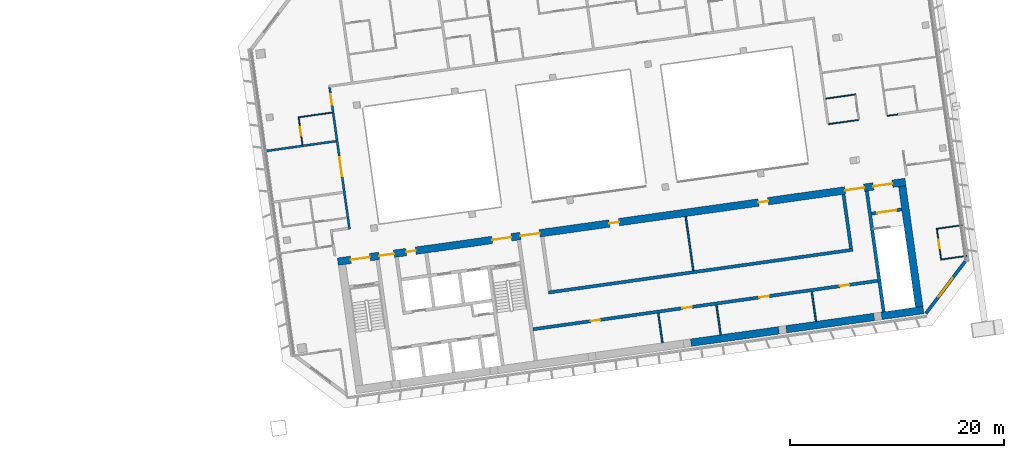
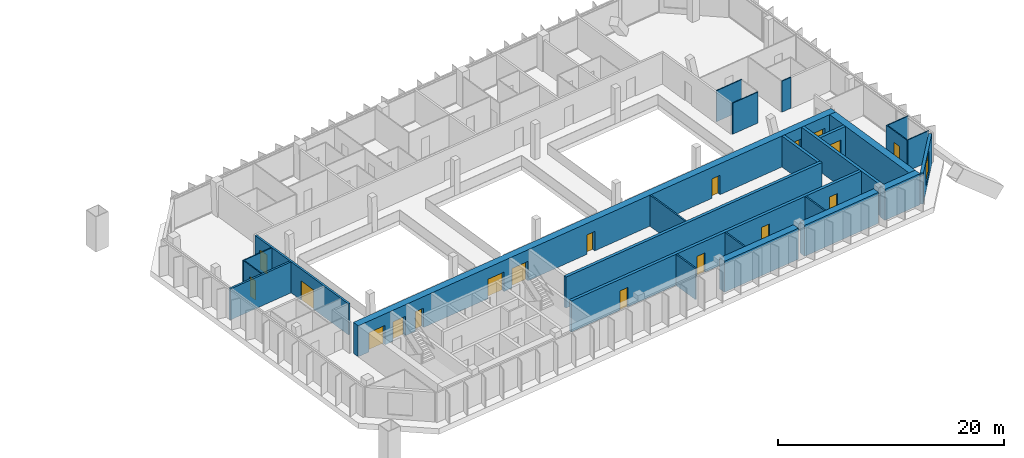
# One storey, part 23 of 32: 25 walls, 18 doors, 1 window, 19 openings.
"""IFC4 building model written with IfcOpenShell, lengths in metres."""

import ifcopenshell
import ifcopenshell.guid

model = None  # the IFC model being written
_history = None  # IfcOwnerHistory: only IFC2X3 demands one
_inside = {}  # id of a spatial element -> (the spatial element, [elements in it])
_under = {}  # id of a project, library or spatial element -> (it, [spatial elements below it])
_declared = {}  # id of a project -> (the project, [libraries it declares])
_typed = {}  # id of a type object -> (the type object, [elements of that type])
_made_of = {}  # id of a material, layer set ... -> (it, [elements and type objects made of it])


def new_model(schema):
    """Start an empty IFC model of exactly this schema.

    Asked for "IFC4X3", IfcOpenShell would pick the latest addendum, in which some entities
    have other attributes; the version numbers below select the first issue.
    IFC2X3 requires an IfcOwnerHistory on every rooted entity: one is made here for all.
    """
    global model, _history
    if schema == "IFC4X3":
        model = ifcopenshell.file(schema_version=(4, 3, 0, 0))
    else:
        model = ifcopenshell.file(schema=schema)
    _inside.clear()
    _under.clear()
    _declared.clear()
    _typed.clear()
    _made_of.clear()
    _history = None
    if model.schema == "IFC2X3":
        org = make("IfcOrganization", Name="unknown")
        user = make(
            "IfcPersonAndOrganization",
            ThePerson=make("IfcPerson", FamilyName="unknown"),
            TheOrganization=org,
        )
        app = make(
            "IfcApplication",
            ApplicationDeveloper=org,
            Version="unknown",
            ApplicationFullName="unknown",
            ApplicationIdentifier="unknown",
        )
        _history = make(
            "IfcOwnerHistory",
            OwningUser=user,
            OwningApplication=app,
            ChangeAction="ADDED",
            CreationDate=0,
        )
    return model


def make(cls, **values):
    """One entity of the class cls with the attributes given. An attribute that is None is left unset."""
    return model.create_entity(
        cls, **{name: value for name, value in values.items() if value is not None}
    )


def rooted(cls, **values):
    """An entity with a GlobalId (a new one), such as an element, a storey or a relation."""
    return make(cls, GlobalId=ifcopenshell.guid.new(), OwnerHistory=_history, **values)


def si_unit(unit_type, name, prefix=None):
    """IfcSIUnit, for example si_unit("LENGTHUNIT", "METRE", prefix="MILLI")."""
    return make("IfcSIUnit", UnitType=unit_type, Prefix=prefix, Name=name)


def assignment(units):
    """IfcUnitAssignment: the units of a project."""
    return None if units is None else make("IfcUnitAssignment", Units=units)


def point(xyz):
    """IfcCartesianPoint."""
    return None if xyz is None else make("IfcCartesianPoint", Coordinates=xyz)


def direction(xyz):
    """IfcDirection."""
    return None if xyz is None else make("IfcDirection", DirectionRatios=xyz)


def frame(location, z_axis=None, x_axis=None):
    """IfcAxis2Placement3D, a coordinate frame: its origin and axes. An axis left out is left unset."""
    return make(
        "IfcAxis2Placement3D",
        Location=point(location),
        Axis=direction(z_axis),
        RefDirection=direction(x_axis),
    )


def frame_2d(location, x_axis=None):
    """IfcAxis2Placement2D, a coordinate frame in the plane: its origin and x axis."""
    return make(
        "IfcAxis2Placement2D", Location=point(location), RefDirection=direction(x_axis)
    )


def origin():
    """The frame at (0, 0, 0) with its axes left unset."""
    return frame((0.0, 0.0, 0.0))


def place(relative_to, where):
    """IfcLocalPlacement: puts the frame where relative to a parent placement (None: the world)."""
    return make(
        "IfcLocalPlacement", PlacementRelTo=relative_to, RelativePlacement=where
    )


def context(
    kind, dimensions, precision=None, world=None, true_north=None, identifier=None
):
    """IfcGeometricRepresentationContext, for example the 3D "Model" context."""
    return make(
        "IfcGeometricRepresentationContext",
        ContextIdentifier=identifier,
        ContextType=kind,
        CoordinateSpaceDimension=dimensions,
        Precision=precision,
        WorldCoordinateSystem=world,
        TrueNorth=true_north,
    )


def subcontext(parent, identifier, kind, view, scale=None):
    """IfcGeometricRepresentationSubContext, for example "Body" below "Model"."""
    return make(
        "IfcGeometricRepresentationSubContext",
        ContextIdentifier=identifier,
        ContextType=kind,
        ParentContext=parent,
        TargetScale=scale,
        TargetView=view,
    )


def project(units=None, contexts=None):
    """IfcProject with its units and contexts."""
    return rooted(
        "IfcProject",
        Name="project",
        RepresentationContexts=contexts,
        UnitsInContext=assignment(units),
    )


def spatial(cls, under=None, at=None, **own):
    """A site, building, storey or space (cls), placed at a placement, below another one or the project."""
    s = rooted(cls, ObjectPlacement=at, **own)
    if under is not None:
        _under.setdefault(under.id(), (under, []))[1].append(s)
    return s


def profile(cls, at=None, kind="AREA", **sizes):
    """A parametric profile (cls). Its sizes go by their IFC names, for example OverallWidth=200.0."""
    return make(cls, ProfileType=kind, Position=at, **sizes)


def rectangle(**sizes):
    """IfcRectangleProfileDef."""
    return profile("IfcRectangleProfileDef", **sizes)


def extrude(swept, where, along, depth):
    """IfcExtrudedAreaSolid: the profile swept, set in the frame where, extruded along a direction by depth."""
    return make(
        "IfcExtrudedAreaSolid",
        SweptArea=swept,
        Position=where,
        ExtrudedDirection=direction(along),
        Depth=depth,
    )


def shape(context_of_items, identifier, shape_type, items):
    """IfcShapeRepresentation: the items that make up one representation, for example the "Body"."""
    return make(
        "IfcShapeRepresentation",
        ContextOfItems=context_of_items,
        RepresentationIdentifier=identifier,
        RepresentationType=shape_type,
        Items=items,
    )


def material(Name=None, Category=None):
    """IfcMaterial."""
    return make("IfcMaterial", Name=Name, Category=Category)


def layer(
    of_material, thickness, ventilated=None, Name=None, Category=None, Priority=None
):
    """IfcMaterialLayer: one layer of a wall or slab, of a material (None: an air gap)."""
    return make(
        "IfcMaterialLayer",
        Material=of_material,
        LayerThickness=thickness,
        IsVentilated=ventilated,
        Name=Name,
        Category=Category,
        Priority=Priority,
    )


def layer_set(layers, Name=None):
    """IfcMaterialLayerSet."""
    return make("IfcMaterialLayerSet", MaterialLayers=layers, LayerSetName=Name)


def made_of(thing, what):
    """Note that an element or type object is made of a material, layer set ...; save() writes the relation."""
    if what is not None:
        _made_of.setdefault(what.id(), (what, []))[1].append(thing)
    return thing


def type_object(cls, material=None, **own):
    """A type object (cls), such as IfcWallType, which elements share."""
    return made_of(rooted(cls, **own), material)


def element(
    cls,
    number,
    at=None,
    inside=None,
    cuts=None,
    type_object=None,
    material=None,
    context=None,
    identifier="Body",
    shape_type=None,
    held_by="IfcProductDefinitionShape",
    body=None,
    shapes=None,
    **own,
):
    """One element of the class cls, such as IfcWall. Its Tag is "e" and its number.

    at: its placement. inside: the storey or other place that contains it. cuts: it is an
    opening in that element (IfcRelVoidsElement). A single representation is given by context,
    identifier, shape_type and body (its items); several are given by shapes. held_by: the class
    of the entity that holds the representations. save() writes the other relations.
    """
    e = rooted(cls, Tag="e%d" % number, ObjectPlacement=at, **own)
    if body is not None:
        shapes = [shape(context, identifier, shape_type, body)]
    if shapes is not None:
        e.Representation = make(held_by, Representations=shapes)
    if inside is not None:
        _inside.setdefault(inside.id(), (inside, []))[1].append(e)
    if cuts is not None:
        rooted(
            "IfcRelVoidsElement", RelatingBuildingElement=cuts, RelatedOpeningElement=e
        )
    if type_object is not None:
        _typed.setdefault(type_object.id(), (type_object, []))[1].append(e)
    return made_of(e, material)


def fill(opening, filler):
    """IfcRelFillsElement: the door or window that sits in an opening."""
    return rooted(
        "IfcRelFillsElement",
        RelatingOpeningElement=opening,
        RelatedBuildingElement=filler,
    )


def aggregate(whole, parts):
    """IfcRelAggregates: a whole, such as a stair, and the parts it consists of."""
    return rooted("IfcRelAggregates", RelatingObject=whole, RelatedObjects=parts)


def save(model, path):
    """Write the relations noted so far, then the file.

    IfcRelAggregates (storeys below a building ...), IfcRelContainedInSpatialStructure (elements
    in a storey), IfcRelDefinesByType, IfcRelAssociatesMaterial and IfcRelDeclares: one each for
    every whole, place, type object, material and project.
    """
    for whole, parts in _under.values():
        aggregate(whole, parts)
    for where, things in _inside.values():
        rooted(
            "IfcRelContainedInSpatialStructure",
            RelatedElements=things,
            RelatingStructure=where,
        )
    for kind, things in _typed.values():
        rooted("IfcRelDefinesByType", RelatedObjects=things, RelatingType=kind)
    for what, things in _made_of.values():
        rooted("IfcRelAssociatesMaterial", RelatedObjects=things, RelatingMaterial=what)
    for by, libraries in _declared.values():
        rooted("IfcRelDeclares", RelatingContext=by, RelatedDefinitions=libraries)
    model.write(path)


model = new_model("IFC4")

# Units and contexts
model_context = context("Model", 3, precision=1e-05, world=origin(), true_north=direction((0.0, 1.0)))
body_context = subcontext(model_context, "Body", "Model", "MODEL_VIEW")
ifc_project = project(units=[si_unit("LENGTHUNIT", "METRE"), si_unit("AREAUNIT", "SQUARE_METRE"), si_unit("VOLUMEUNIT", "CUBIC_METRE"), si_unit("PLANEANGLEUNIT", "RADIAN"), si_unit("MASSUNIT", "GRAM", prefix="KILO")], contexts=[model_context])

# Site, building, storey
site_placement = place(None, origin())
site = spatial("IfcSite", under=ifc_project, at=site_placement, CompositionType="ELEMENT")
building_placement = place(site_placement, origin())
building = spatial("IfcBuilding", under=site, at=building_placement, Name="Mirante Cascada Hotel Towers", CompositionType="ELEMENT")
storey_placement = place(building_placement, frame((0.0, 0.0, 176.4)))
storey = spatial("IfcBuildingStorey", under=building, at=storey_placement, Name="L41", CompositionType="ELEMENT", Elevation=176.4)

# Wall
ifc_material_1 = material(Name="Fire-rated plasterboard on metal studs")
ifc_layer_1 = layer(ifc_material_1, 0.2)
ifc_layer_set_1 = layer_set([ifc_layer_1], Name="Compartment wall 200 EI 120")
wall_type_1 = type_object("IfcWallType", Name="Compartment wall 200 EI 120", PredefinedType="PARTITIONING", material=ifc_layer_set_1)
wall_1_placement = place(storey_placement, frame((28.624, 2.6874, 0.0), z_axis=(0.0, 0.0, 1.0), x_axis=(0.9902682, 0.139172, 0.0)))
element("IfcWall", 1, at=wall_1_placement, inside=storey, type_object=wall_type_1, Name="Wall 2-L41-14", PredefinedType="PARTITIONING", context=body_context, shape_type="SweptSolid", body=[
    extrude(rectangle(XDim=6.8103, YDim=0.2, at=frame_2d((3.4052, 0.0))), origin(), (0.0, 0.0, 1.0), 3.35),
])

# Wall, openings, doors
wall_2_placement = place(storey_placement, frame((36.6268, -4.6031, 0.0), z_axis=(0.0, 0.0, 1.0), x_axis=(-0.1391789, 0.9902673, 0.0)))
wall_2 = element("IfcWall", 2, at=wall_2_placement, inside=storey, type_object=wall_type_1, Name="Wall 2-L41-34", PredefinedType="PARTITIONING", context=body_context, shape_type="SweptSolid", body=[
    extrude(rectangle(XDim=13.4, YDim=0.2, at=frame_2d((6.7, 0.0))), origin(), (0.0, 0.0, 1.0), 3.35),
])
opening_1_placement = place(wall_2_placement, frame((5.0167, 0.0, 0.0)))
opening_1 = element("IfcOpeningElement", 3, at=opening_1_placement, cuts=wall_2, Name="Opening D2-L41-26", PredefinedType="OPENING", context=body_context, shape_type="SweptSolid", body=[
    extrude(rectangle(XDim=1.8, YDim=2.1, at=frame_2d((0.9, 1.05))), frame((0.0, 0.1, 0.0), z_axis=(0.0, -1.0, 0.0), x_axis=(1.0, 0.0, 0.0)), (0.0, 0.0, 1.0), 0.2),
])
opening_2_placement = place(wall_2_placement, frame((11.7667, 0.0, 0.0)))
opening_2 = element("IfcOpeningElement", 4, at=opening_2_placement, cuts=wall_2, Name="Opening D2-L41-27", PredefinedType="OPENING", context=body_context, shape_type="SweptSolid", body=[
    extrude(rectangle(XDim=1.0, YDim=2.1, at=frame_2d((0.5, 1.05))), frame((0.0, 0.1, 0.0), z_axis=(0.0, -1.0, 0.0), x_axis=(1.0, 0.0, 0.0)), (0.0, 0.0, 1.0), 0.2),
])
ifc_material_2 = material(Name="Fire-rated timber door leaf", Category="wood")
door_type_1 = type_object("IfcDoorType", Name="Entrance door DG1 1000x2100 EI 60", OperationType="SINGLE_SWING_LEFT", PredefinedType="DOOR", material=ifc_material_2)
door_1_placement = place(opening_2_placement, origin())
door_1 = element("IfcDoor", 5, at=door_1_placement, inside=storey, type_object=door_type_1, Name="Door D2-L41-27", OperationType="SINGLE_SWING_LEFT", OverallHeight=2.1, OverallWidth=1.0, PredefinedType="DOOR", context=body_context, shape_type="SweptSolid", body=[
    extrude(rectangle(XDim=1.0, YDim=2.1, at=frame_2d((0.5, 1.05))), frame((0.0, 0.025, 0.0), z_axis=(0.0, -1.0, 0.0), x_axis=(1.0, 0.0, 0.0)), (0.0, 0.0, 1.0), 0.05),
])
fill(opening_2, door_1)
ifc_material_3 = material(Name="Fire-rated timber door leaf", Category="wood")
door_type_2 = type_object("IfcDoorType", Name="Suite double door DG2 1800x2100 EI 60", OperationType="DOUBLE_DOOR_SINGLE_SWING", PredefinedType="DOOR", material=ifc_material_3)
door_2_placement = place(opening_1_placement, origin())
door_2 = element("IfcDoor", 6, at=door_2_placement, inside=storey, type_object=door_type_2, Name="Door D2-L41-26", OperationType="DOUBLE_DOOR_SINGLE_SWING", OverallHeight=2.1, OverallWidth=1.8, PredefinedType="DOOR", context=body_context, shape_type="SweptSolid", body=[
    extrude(rectangle(XDim=0.895, YDim=2.1, at=frame_2d((0.4475, 1.05))), frame((0.0, 0.025, 0.0), z_axis=(0.0, -1.0, 0.0), x_axis=(1.0, 0.0, 0.0)), (0.0, 0.0, 1.0), 0.05),
    extrude(rectangle(XDim=0.895, YDim=2.1, at=frame_2d((1.3525, 1.05))), frame((0.0, 0.025, 0.0), z_axis=(0.0, -1.0, 0.0), x_axis=(1.0, 0.0, 0.0)), (0.0, 0.0, 1.0), 0.05),
])
fill(opening_1, door_2)

# Walls
ifc_material_4 = material(Name="Masonry block", Category="masonry")
ifc_layer_2 = layer(ifc_material_4, 0.15)
ifc_layer_set_2 = layer_set([ifc_layer_2], Name="Core room partition 150 block EI 30")
wall_type_2 = type_object("IfcWallType", Name="Core room partition 150 block EI 30", PredefinedType="PARTITIONING", material=ifc_layer_set_2)
for number, where, z_axis, x_axis, name in (
    (7, (65.8911, -15.2337, 0.0), (0.0, 0.0, 1.0), (-0.139181, 0.990267, 0.0), "Core wall partition T2 L41 5"),
    (8, (71.3375, -14.4683, 0.0), (0.0, 0.0, 1.0), (-0.139141, 0.9902726, 0.0), "Core wall partition T2 L41 6"),
    (9, (80.25, -13.2157, 0.0), (0.0, 0.0, 1.0), (-0.139181, 0.990267, 0.0), "Core wall partition T2 L41 7"),
):
    element("IfcWall", number, at=place(storey_placement, frame(where, z_axis=z_axis, x_axis=x_axis)), inside=storey, type_object=wall_type_2, Name=name, PredefinedType="PARTITIONING", context=body_context, shape_type="SweptSolid", body=[
        extrude(rectangle(XDim=2.8, YDim=0.15, at=frame_2d((1.4, 0.0))), origin(), (0.0, 0.0, 1.0), 3.35),
    ])
wall_3_placement = place(storey_placement, frame((68.7773, -8.4662, 0.0), z_axis=(0.0, 0.0, 1.0), x_axis=(-0.1391755, 0.9902677, 0.0)))
element("IfcWall", 10, at=wall_3_placement, inside=storey, type_object=wall_type_2, Name="Core wall partition T2 L41 8", PredefinedType="PARTITIONING", context=body_context, shape_type="SweptSolid", body=[
    extrude(rectangle(XDim=5.1, YDim=0.15, at=frame_2d((2.55, 0.0))), origin(), (0.0, 0.0, 1.0), 3.35),
])

# Wall, openings, doors
ifc_material_5 = material(Name="Masonry block", Category="masonry")
ifc_layer_3 = layer(ifc_material_5, 0.3)
ifc_layer_set_3 = layer_set([ifc_layer_3], Name="Core wall 300 block EI 120")
wall_type_3 = type_object("IfcWallType", Name="Core wall 300 block EI 120", PredefinedType="PARTITIONING", material=ifc_layer_set_3)
wall_4_placement = place(storey_placement, frame((53.7953, -13.9547, 0.0), z_axis=(0.0, 0.0, 1.0), x_axis=(0.990268, 0.1391733, 0.0)))
wall_4 = element("IfcWall", 11, at=wall_4_placement, inside=storey, type_object=wall_type_3, Name="Core wall partition T2 L41 4", PredefinedType="PARTITIONING", context=body_context, shape_type="SweptSolid", body=[
    extrude(rectangle(XDim=32.5501, YDim=0.3, at=frame_2d((16.275, 0.0))), origin(), (0.0, 0.0, 1.0), 3.35),
])
opening_3_placement = place(wall_4_placement, frame((5.45, 0.0, 0.0)))
opening_3 = element("IfcOpeningElement", 12, at=opening_3_placement, cuts=wall_4, Name="Opening D2-41-C19", PredefinedType="OPENING", context=body_context, shape_type="SweptSolid", body=[
    extrude(rectangle(XDim=0.9, YDim=2.1, at=frame_2d((0.45, 1.05))), frame((0.0, 0.15, 0.0), z_axis=(0.0, -1.0, 0.0), x_axis=(1.0, 0.0, 0.0)), (0.0, 0.0, 1.0), 0.3),
])
opening_4_placement = place(wall_4_placement, frame((14.1, 0.0, 0.0)))
opening_4 = element("IfcOpeningElement", 13, at=opening_4_placement, cuts=wall_4, Name="Opening D2-41-C20", PredefinedType="OPENING", context=body_context, shape_type="SweptSolid", body=[
    extrude(rectangle(XDim=0.9, YDim=2.1, at=frame_2d((0.45, 1.05))), frame((0.0, 0.15, 0.0), z_axis=(0.0, -1.0, 0.0), x_axis=(1.0, 0.0, 0.0)), (0.0, 0.0, 1.0), 0.3),
])
opening_5_placement = place(wall_4_placement, frame((21.35, 0.0, 0.0)))
opening_5 = element("IfcOpeningElement", 14, at=opening_5_placement, cuts=wall_4, Name="Opening D2-41-C21", PredefinedType="OPENING", context=body_context, shape_type="SweptSolid", body=[
    extrude(rectangle(XDim=0.9, YDim=2.1, at=frame_2d((0.45, 1.05))), frame((0.0, 0.15, 0.0), z_axis=(0.0, -1.0, 0.0), x_axis=(1.0, 0.0, 0.0)), (0.0, 0.0, 1.0), 0.3),
])
opening_6_placement = place(wall_4_placement, frame((28.975, 0.0, 0.0)))
opening_6 = element("IfcOpeningElement", 15, at=opening_6_placement, cuts=wall_4, Name="Opening D2-41-C22", PredefinedType="OPENING", context=body_context, shape_type="SweptSolid", body=[
    extrude(rectangle(XDim=0.9, YDim=2.1, at=frame_2d((0.45, 1.05))), frame((0.0, 0.15, 0.0), z_axis=(0.0, -1.0, 0.0), x_axis=(1.0, 0.0, 0.0)), (0.0, 0.0, 1.0), 0.3),
])
ifc_material_6 = material(Name="Hollow metal fire door leaf")
door_type_3 = type_object("IfcDoorType", Name="Fire door 900x2100 FD60", OperationType="NOTDEFINED", PredefinedType="DOOR", material=ifc_material_6)
door_3_placement = place(opening_3_placement, frame((0.9, 0.0, 0.0), z_axis=(0.0, 0.0, 1.0), x_axis=(-1.0, 0.0, 0.0)))
door_3 = element("IfcDoor", 16, at=door_3_placement, inside=storey, type_object=door_type_3, Name="Room door T2 L41 19", OperationType="SINGLE_SWING_LEFT", OverallHeight=2.1, OverallWidth=0.9, PredefinedType="DOOR", context=body_context, shape_type="SweptSolid", body=[
    extrude(rectangle(XDim=0.9, YDim=2.1, at=frame_2d((0.45, 1.05))), frame((0.0, 0.025, 0.0), z_axis=(0.0, -1.0, 0.0), x_axis=(1.0, 0.0, 0.0)), (0.0, 0.0, 1.0), 0.05),
])
fill(opening_3, door_3)
door_4_placement = place(opening_4_placement, frame((0.9, 0.0, 0.0), z_axis=(0.0, 0.0, 1.0), x_axis=(-1.0, 0.0, 0.0)))
door_4 = element("IfcDoor", 17, at=door_4_placement, inside=storey, type_object=door_type_3, Name="Room door T2 L41 20", OperationType="SINGLE_SWING_LEFT", OverallHeight=2.1, OverallWidth=0.9, PredefinedType="DOOR", context=body_context, shape_type="SweptSolid", body=[
    extrude(rectangle(XDim=0.9, YDim=2.1, at=frame_2d((0.45, 1.05))), frame((0.0, 0.025, 0.0), z_axis=(0.0, -1.0, 0.0), x_axis=(1.0, 0.0, 0.0)), (0.0, 0.0, 1.0), 0.05),
])
fill(opening_4, door_4)
door_5_placement = place(opening_5_placement, frame((0.9, 0.0, 0.0), z_axis=(0.0, 0.0, 1.0), x_axis=(-1.0, 0.0, 0.0)))
door_5 = element("IfcDoor", 18, at=door_5_placement, inside=storey, type_object=door_type_3, Name="Room door T2 L41 21", OperationType="SINGLE_SWING_RIGHT", OverallHeight=2.1, OverallWidth=0.9, PredefinedType="DOOR", context=body_context, shape_type="SweptSolid", body=[
    extrude(rectangle(XDim=0.9, YDim=2.1, at=frame_2d((0.45, 1.05))), frame((0.0, 0.025, 0.0), z_axis=(0.0, -1.0, 0.0), x_axis=(1.0, 0.0, 0.0)), (0.0, 0.0, 1.0), 0.05),
])
fill(opening_5, door_5)
door_6_placement = place(opening_6_placement, frame((0.9, 0.0, 0.0), z_axis=(0.0, 0.0, 1.0), x_axis=(-1.0, 0.0, 0.0)))
door_6 = element("IfcDoor", 19, at=door_6_placement, inside=storey, type_object=door_type_3, Name="Room door T2 L41 22", OperationType="SINGLE_SWING_RIGHT", OverallHeight=2.1, OverallWidth=0.9, PredefinedType="DOOR", context=body_context, shape_type="SweptSolid", body=[
    extrude(rectangle(XDim=0.9, YDim=2.1, at=frame_2d((0.45, 1.05))), frame((0.0, 0.025, 0.0), z_axis=(0.0, -1.0, 0.0), x_axis=(1.0, 0.0, 0.0)), (0.0, 0.0, 1.0), 0.05),
])
fill(opening_6, door_6)

# Walls
ifc_material_7 = material(Name="Plasterboard on metal studs")
ifc_layer_4 = layer(ifc_material_7, 0.1)
ifc_layer_set_4 = layer_set([ifc_layer_4], Name="Partition 100")
wall_type_4 = type_object("IfcWallType", Name="Partition 100", PredefinedType="PARTITIONING", material=ifc_layer_set_4)
for number, where, z_axis, x_axis, name in (
    (20, (92.0082, -7.4229, 0.0), (0.0, 0.0, 1.0), (0.9902653, 0.1391929, 0.0), "Wall 2-L41-02"),
    (21, (93.9317, -4.2241, 0.0), (0.0, 0.0, 1.0), (-0.9902712, -0.1391512, 0.0), "Wall 2-L41-03"),
):
    element("IfcWall", number, at=place(storey_placement, frame(where, z_axis=z_axis, x_axis=x_axis)), inside=storey, type_object=wall_type_4, Name=name, PredefinedType="PARTITIONING", context=body_context, shape_type="SweptSolid", body=[
        extrude(rectangle(XDim=2.35, YDim=0.1, at=frame_2d((1.175, 0.0))), origin(), (0.0, 0.0, 1.0), 3.35),
    ])
wall_5_placement = place(storey_placement, frame((84.237, 5.6225, 0.0), z_axis=(0.0, 0.0, 1.0), x_axis=(-0.9902708, -0.1391534, 0.0)))
element("IfcWall", 22, at=wall_5_placement, inside=storey, type_object=wall_type_4, Name="Wall 2-L41-09", PredefinedType="PARTITIONING", context=body_context, shape_type="SweptSolid", body=[
    extrude(rectangle(XDim=2.84, YDim=0.1, at=frame_2d((1.42, 0.0))), origin(), (0.0, 0.0, 1.0), 3.35),
])
wall_6_placement = place(storey_placement, frame((86.9206, 5.9997, 0.0), z_axis=(0.0, 0.0, 1.0), x_axis=(0.9902662, 0.1391867, 0.0)))
element("IfcWall", 23, at=wall_6_placement, inside=storey, type_object=wall_type_4, Name="Wall 2-L41-10", PredefinedType="PARTITIONING", context=body_context, shape_type="SweptSolid", body=[
    extrude(rectangle(XDim=0.99, YDim=0.1, at=frame_2d((0.495, 0.0))), origin(), (0.0, 0.0, 1.0), 3.35),
])
wall_7_placement = place(storey_placement, frame((81.1599, 7.6136, 0.0), z_axis=(0.0, 0.0, 1.0), x_axis=(0.9902656, 0.1391909, 0.0)))
element("IfcWall", 24, at=wall_7_placement, inside=storey, type_object=wall_type_4, Name="Wall 2-L41-12", PredefinedType="PARTITIONING", context=body_context, shape_type="SweptSolid", body=[
    extrude(rectangle(XDim=2.85, YDim=0.1, at=frame_2d((1.425, 0.0))), origin(), (0.0, 0.0, 1.0), 3.35),
])
wall_8_placement = place(storey_placement, frame((31.8183, 5.8629, 0.0), z_axis=(0.0, 0.0, 1.0), x_axis=(0.9902708, 0.139154, 0.0)))
element("IfcWall", 25, at=wall_8_placement, inside=storey, type_object=wall_type_4, Name="Wall 2-L41-16", PredefinedType="PARTITIONING", context=body_context, shape_type="SweptSolid", body=[
    extrude(rectangle(XDim=3.2051, YDim=0.1, at=frame_2d((1.6026, 0.0))), origin(), (0.0, 0.0, 1.0), 3.35),
])

# Wall, opening, door
wall_9_placement = place(storey_placement, frame((31.8748, 5.8203, 0.0), z_axis=(0.0, 0.0, 1.0), x_axis=(0.1391755, -0.9902677, 0.0)))
wall_9 = element("IfcWall", 26, at=wall_9_placement, inside=storey, type_object=wall_type_4, Name="Wall 2-L41-31", PredefinedType="PARTITIONING", context=body_context, shape_type="SweptSolid", body=[
    extrude(rectangle(XDim=2.55, YDim=0.1, at=frame_2d((1.275, 0.0))), origin(), (0.0, 0.0, 1.0), 3.35),
])
opening_7_placement = place(wall_9_placement, frame((0.9, 0.0, 0.0)))
opening_7 = element("IfcOpeningElement", 27, at=opening_7_placement, cuts=wall_9, Name="Opening D2-L41-24", PredefinedType="OPENING", context=body_context, shape_type="SweptSolid", body=[
    extrude(rectangle(XDim=0.8, YDim=2.1, at=frame_2d((0.4, 1.05))), frame((0.0, 0.05, 0.0), z_axis=(0.0, -1.0, 0.0), x_axis=(1.0, 0.0, 0.0)), (0.0, 0.0, 1.0), 0.1),
])
ifc_material_8 = material(Name="Timber door leaf", Category="wood")
door_type_4 = type_object("IfcDoorType", Name="Bathroom door DG4 800x2100", OperationType="SINGLE_SWING_LEFT", PredefinedType="DOOR", material=ifc_material_8)
door_7_placement = place(opening_7_placement, origin())
door_7 = element("IfcDoor", 28, at=door_7_placement, inside=storey, type_object=door_type_4, Name="Door D2-L41-24", OperationType="SINGLE_SWING_LEFT", OverallHeight=2.1, OverallWidth=0.8, PredefinedType="DOOR", context=body_context, shape_type="SweptSolid", body=[
    extrude(rectangle(XDim=0.8, YDim=2.1, at=frame_2d((0.4, 1.05))), frame((0.0, 0.025, 0.0), z_axis=(0.0, -1.0, 0.0), x_axis=(1.0, 0.0, 0.0)), (0.0, 0.0, 1.0), 0.05),
])
fill(opening_7, door_7)

wall_10_placement = place(storey_placement, frame((91.5481, -4.5086, 0.0), z_axis=(0.0, 0.0, 1.0), x_axis=(0.139167, -0.9902689, 0.0)))
wall_10 = element("IfcWall", 29, at=wall_10_placement, inside=storey, type_object=wall_type_4, Name="Wall 2-L41-57", PredefinedType="PARTITIONING", context=body_context, shape_type="SweptSolid", body=[
    extrude(rectangle(XDim=3.0, YDim=0.1, at=frame_2d((1.5, 0.0))), origin(), (0.0, 0.0, 1.0), 3.35),
])
opening_8_placement = place(wall_10_placement, frame((1.1, 0.0, 0.0)))
opening_8 = element("IfcOpeningElement", 30, at=opening_8_placement, cuts=wall_10, Name="Opening D2-L41-36", PredefinedType="OPENING", context=body_context, shape_type="SweptSolid", body=[
    extrude(rectangle(XDim=0.8, YDim=2.1, at=frame_2d((0.4, 1.05))), frame((0.0, 0.05, 0.0), z_axis=(0.0, -1.0, 0.0), x_axis=(1.0, 0.0, 0.0)), (0.0, 0.0, 1.0), 0.1),
])
door_8_placement = place(opening_8_placement, frame((0.8, 0.0, 0.0), z_axis=(0.0, 0.0, 1.0), x_axis=(-1.0, 0.0, 0.0)))
door_8 = element("IfcDoor", 31, at=door_8_placement, inside=storey, type_object=door_type_4, Name="Door D2-L41-36", OperationType="SINGLE_SWING_RIGHT", OverallHeight=2.1, OverallWidth=0.8, PredefinedType="DOOR", context=body_context, shape_type="SweptSolid", body=[
    extrude(rectangle(XDim=0.8, YDim=2.1, at=frame_2d((0.4, 1.05))), frame((0.0, 0.025, 0.0), z_axis=(0.0, -1.0, 0.0), x_axis=(1.0, 0.0, 0.0)), (0.0, 0.0, 1.0), 0.05),
])
fill(opening_8, door_8)

# Wall, opening, window
ifc_material_9 = material(Name="Precast concrete C40/50", Category="concrete")
ifc_layer_5 = layer(ifc_material_9, 0.3)
ifc_layer_set_5 = layer_set([ifc_layer_5], Name="Precast concrete C40/50 cladding wall 300")
wall_type_5 = type_object("IfcWallType", Name="Precast concrete C40/50 cladding wall 300", PredefinedType="STANDARD", material=ifc_layer_set_5)
wall_11_placement = place(storey_placement, frame((90.5299, -12.4841, 0.0), z_axis=(0.0, 0.0, 1.0), x_axis=(0.6018063, 0.7986421, 0.0)))
wall_11 = element("IfcWall", 32, at=wall_11_placement, inside=storey, type_object=wall_type_5, Name="Corner cladding wall T2 L41 rear outer", PredefinedType="STANDARD", context=body_context, shape_type="SweptSolid", body=[
    extrude(rectangle(XDim=6.1158, YDim=0.3, at=frame_2d((3.0579, 0.0))), origin(), (0.0, 0.0, 1.0), 3.35),
])
opening_9_placement = place(wall_11_placement, frame((1.9578, 0.0, 0.6)))
opening_9 = element("IfcOpeningElement", 33, at=opening_9_placement, cuts=wall_11, Name="Opening W2-41-01", PredefinedType="OPENING", context=body_context, shape_type="SweptSolid", body=[
    extrude(rectangle(XDim=2.2, YDim=2.4, at=frame_2d((1.1, 1.2))), frame((0.0, 0.15, 0.0), z_axis=(0.0, -1.0, 0.0), x_axis=(1.0, 0.0, 0.0)), (0.0, 0.0, 1.0), 0.3),
])
ifc_material_10 = material(Name="Aluminium frame with clear double glazing", Category="aluminium")
window_type = type_object("IfcWindowType", Name="Corner suite window 2200x2400", PartitioningType="DOUBLE_PANEL_VERTICAL", PredefinedType="WINDOW", material=ifc_material_10)
window_placement = place(opening_9_placement, origin())
window = element("IfcWindow", 34, at=window_placement, inside=storey, type_object=window_type, Name="Window W2-41-01", OverallHeight=2.4, OverallWidth=2.2, PartitioningType="SINGLE_PANEL", PredefinedType="WINDOW", context=body_context, shape_type="SweptSolid", body=[
    extrude(rectangle(XDim=2.2, YDim=2.4, at=frame_2d((1.1, 1.2))), frame((0.0, 0.03, 0.0), z_axis=(0.0, -1.0, 0.0), x_axis=(1.0, 0.0, 0.0)), (0.0, 0.0, 1.0), 0.06),
])
fill(opening_9, window)

# Wall
ifc_material_11 = material(Name="Concrete C50/60", Category="concrete")
ifc_layer_6 = layer(ifc_material_11, 0.3)
ifc_layer_set_6 = layer_set([ifc_layer_6], Name="RC core wall 300 C50/60")
wall_type_6 = type_object("IfcWallType", Name="RC core wall 300 C50/60", PredefinedType="SHEAR", material=ifc_layer_set_6)
wall_12_placement = place(storey_placement, frame((86.5877, -12.325, 0.0), z_axis=(0.0, 0.0, 1.0), x_axis=(-0.1391749, 0.9902678, 0.0)))
element("IfcWall", 35, at=wall_12_placement, inside=storey, type_object=wall_type_6, Name="Core wall T2:L41:8", PredefinedType="SHEAR", context=body_context, shape_type="SweptSolid", body=[
    extrude(rectangle(XDim=11.4, YDim=0.3, at=frame_2d((5.7, 0.0))), origin(), (0.0, 0.0, 1.0), 3.35),
])

# Wall, opening, door
wall_13_placement = place(storey_placement, frame((85.4489, -3.1441, 0.0), z_axis=(0.0, 0.0, 1.0), x_axis=(0.9902697, 0.1391613, 0.0)))
wall_13 = element("IfcWall", 36, at=wall_13_placement, inside=storey, type_object=wall_type_6, Name="Core wall T2:L41:11", PredefinedType="SHEAR", context=body_context, shape_type="SweptSolid", body=[
    extrude(rectangle(XDim=2.8499, YDim=0.3, at=frame_2d((1.425, 0.0))), origin(), (0.0, 0.0, 1.0), 3.35),
])
opening_10_placement = place(wall_13_placement, frame((0.525, 0.0, 0.0)))
opening_10 = element("IfcOpeningElement", 37, at=opening_10_placement, cuts=wall_13, Name="Opening D2-41-C11", PredefinedType="OPENING", context=body_context, shape_type="SweptSolid", body=[
    extrude(rectangle(XDim=1.8, YDim=2.1, at=frame_2d((0.9, 1.05))), frame((0.0, 0.15, 0.0), z_axis=(0.0, -1.0, 0.0), x_axis=(1.0, 0.0, 0.0)), (0.0, 0.0, 1.0), 0.3),
])
ifc_material_12 = material(Name="Hollow metal fire door leaf")
door_type_5 = type_object("IfcDoorType", Name="Double fire door 1800x2100 FD60", OperationType="DOUBLE_DOOR_SINGLE_SWING", PredefinedType="DOOR", material=ifc_material_12)
door_9_placement = place(opening_10_placement, frame((1.8, 0.0, 0.0), z_axis=(0.0, 0.0, 1.0), x_axis=(-1.0, 0.0, 0.0)))
door_9 = element("IfcDoor", 38, at=door_9_placement, inside=storey, type_object=door_type_5, Name="Stair door T2 L41 11", OperationType="DOUBLE_DOOR_SINGLE_SWING", OverallHeight=2.1, OverallWidth=1.8, PredefinedType="DOOR", context=body_context, shape_type="SweptSolid", body=[
    extrude(rectangle(XDim=0.895, YDim=2.1, at=frame_2d((0.4475, 1.05))), frame((0.0, 0.025, 0.0), z_axis=(0.0, -1.0, 0.0), x_axis=(1.0, 0.0, 0.0)), (0.0, 0.0, 1.0), 0.05),
    extrude(rectangle(XDim=0.895, YDim=2.1, at=frame_2d((1.3525, 1.05))), frame((0.0, 0.025, 0.0), z_axis=(0.0, -1.0, 0.0), x_axis=(1.0, 0.0, 0.0)), (0.0, 0.0, 1.0), 0.05),
])
fill(opening_10, door_9)

# Walls
wall_14_placement = place(storey_placement, frame((55.2315, -10.5214, 0.0), z_axis=(0.0, 0.0, 1.0), x_axis=(0.9902682, 0.1391722, 0.0)))
element("IfcWall", 39, at=wall_14_placement, inside=storey, type_object=wall_type_6, Name="Core wall T2:L41:28", PredefinedType="SHEAR", context=body_context, shape_type="SweptSolid", body=[
    extrude(rectangle(XDim=28.75, YDim=0.3, at=frame_2d((14.375, 0.0))), origin(), (0.0, 0.0, 1.0), 3.35),
])
wall_15_placement = place(storey_placement, frame((83.5323, -6.3925, 0.0), z_axis=(0.0, 0.0, 1.0), x_axis=(-0.1391755, 0.9902677, 0.0)))
element("IfcWall", 40, at=wall_15_placement, inside=storey, type_object=wall_type_6, Name="Core wall T2:L41:30", PredefinedType="SHEAR", context=body_context, shape_type="SweptSolid", body=[
    extrude(rectangle(XDim=5.1, YDim=0.3, at=frame_2d((2.55, 0.0))), origin(), (0.0, 0.0, 1.0), 3.35),
])
ifc_material_13 = material(Name="Concrete C50/60", Category="concrete")
ifc_layer_7 = layer(ifc_material_13, 0.7)
ifc_layer_set_7 = layer_set([ifc_layer_7], Name="RC core wall 700 C50/60")
wall_type_7 = type_object("IfcWallType", Name="RC core wall 700 C50/60", PredefinedType="SHEAR", material=ifc_layer_set_7)
for number, where, z_axis, x_axis, name in (
    (41, (68.564, -15.2115, 0.0), (0.0, 0.0, 1.0), (0.9902686, 0.1391692, 0.0), "Core wall T2:L41:1.5"),
    (42, (77.4764, -13.9589, 0.0), (0.0, 0.0, 1.0), (0.9902686, 0.1391692, 0.0), "Core wall T2:L41:1.6"),
):
    element("IfcWall", number, at=place(storey_placement, frame(where, z_axis=z_axis, x_axis=x_axis)), inside=storey, type_object=wall_type_7, Name=name, PredefinedType="SHEAR", context=body_context, shape_type="SweptSolid", body=[
        extrude(rectangle(XDim=8.3, YDim=0.7, at=frame_2d((4.15, 0.0))), origin(), (0.0, 0.0, 1.0), 3.35),
    ])
wall_16_placement = place(storey_placement, frame((86.3888, -12.7064, 0.0), z_axis=(0.0, 0.0, 1.0), x_axis=(0.9902694, 0.1391633, 0.0)))
element("IfcWall", 43, at=wall_16_placement, inside=storey, type_object=wall_type_7, Name="Core wall T2:L41:1.7", PredefinedType="SHEAR", context=body_context, shape_type="SweptSolid", body=[
    extrude(rectangle(XDim=3.95, YDim=0.7, at=frame_2d((1.975, 0.0))), origin(), (0.0, 0.0, 1.0), 3.35),
])

# Wall, openings, doors
wall_17_placement = place(storey_placement, frame((35.538, -7.6341, 0.0), z_axis=(0.0, 0.0, 1.0), x_axis=(0.990268, 0.1391734, 0.0)))
wall_17 = element("IfcWall", 44, at=wall_17_placement, inside=storey, type_object=wall_type_7, Name="Core wall T2:L41:2", PredefinedType="SHEAR", context=body_context, shape_type="SweptSolid", body=[
    extrude(rectangle(XDim=53.6, YDim=0.7, at=frame_2d((26.8, 0.0))), origin(), (0.0, 0.0, 1.0), 3.35),
])
opening_11_placement = place(wall_17_placement, frame((1.225, 0.0, 0.0)))
opening_11 = element("IfcOpeningElement", 45, at=opening_11_placement, cuts=wall_17, Name="Opening D2-41-C08", PredefinedType="OPENING", context=body_context, shape_type="SweptSolid", body=[
    extrude(rectangle(XDim=1.8, YDim=2.1, at=frame_2d((0.9, 1.05))), frame((0.0, 0.35, 0.0), z_axis=(0.0, -1.0, 0.0), x_axis=(1.0, 0.0, 0.0)), (0.0, 0.0, 1.0), 0.7),
])
opening_12_placement = place(wall_17_placement, frame((14.575, 0.0, 0.0)))
opening_12 = element("IfcOpeningElement", 46, at=opening_12_placement, cuts=wall_17, Name="Opening D2-41-C10", PredefinedType="OPENING", context=body_context, shape_type="SweptSolid", body=[
    extrude(rectangle(XDim=1.8, YDim=2.1, at=frame_2d((0.9, 1.05))), frame((0.0, 0.35, 0.0), z_axis=(0.0, -1.0, 0.0), x_axis=(1.0, 0.0, 0.0)), (0.0, 0.0, 1.0), 0.7),
])
opening_13_placement = place(wall_17_placement, frame((50.575, 0.0, 0.0)))
opening_13 = element("IfcOpeningElement", 47, at=opening_13_placement, cuts=wall_17, Name="Opening D2-41-C12", PredefinedType="OPENING", context=body_context, shape_type="SweptSolid", body=[
    extrude(rectangle(XDim=1.8, YDim=2.1, at=frame_2d((0.9, 1.05))), frame((0.0, 0.35, 0.0), z_axis=(0.0, -1.0, 0.0), x_axis=(1.0, 0.0, 0.0)), (0.0, 0.0, 1.0), 0.7),
])
opening_14_placement = place(wall_17_placement, frame((3.9, 0.0, 0.0)))
opening_14 = element("IfcOpeningElement", 48, at=opening_14_placement, cuts=wall_17, Name="Opening D2-41-C13", PredefinedType="OPENING", context=body_context, shape_type="SweptSolid", body=[
    extrude(rectangle(XDim=1.4, YDim=2.1, at=frame_2d((0.7, 1.05))), frame((0.0, 0.35, 0.0), z_axis=(0.0, -1.0, 0.0), x_axis=(1.0, 0.0, 0.0)), (0.0, 0.0, 1.0), 0.7),
])
opening_15_placement = place(wall_17_placement, frame((17.25, 0.0, 0.0)))
opening_15 = element("IfcOpeningElement", 49, at=opening_15_placement, cuts=wall_17, Name="Opening D2-41-C14", PredefinedType="OPENING", context=body_context, shape_type="SweptSolid", body=[
    extrude(rectangle(XDim=1.8, YDim=2.1, at=frame_2d((0.9, 1.05))), frame((0.0, 0.35, 0.0), z_axis=(0.0, -1.0, 0.0), x_axis=(1.0, 0.0, 0.0)), (0.0, 0.0, 1.0), 0.7),
])
opening_16_placement = place(wall_17_placement, frame((47.9, 0.0, 0.0)))
opening_16 = element("IfcOpeningElement", 50, at=opening_16_placement, cuts=wall_17, Name="Opening D2-41-C15", PredefinedType="OPENING", context=body_context, shape_type="SweptSolid", body=[
    extrude(rectangle(XDim=1.8, YDim=2.1, at=frame_2d((0.9, 1.05))), frame((0.0, 0.35, 0.0), z_axis=(0.0, -1.0, 0.0), x_axis=(1.0, 0.0, 0.0)), (0.0, 0.0, 1.0), 0.7),
])
opening_17_placement = place(wall_17_placement, frame((6.45, 0.0, 0.0)))
opening_17 = element("IfcOpeningElement", 51, at=opening_17_placement, cuts=wall_17, Name="Opening D2-41-C18", PredefinedType="OPENING", context=body_context, shape_type="SweptSolid", body=[
    extrude(rectangle(XDim=0.9, YDim=2.1, at=frame_2d((0.45, 1.05))), frame((0.0, 0.35, 0.0), z_axis=(0.0, -1.0, 0.0), x_axis=(1.0, 0.0, 0.0)), (0.0, 0.0, 1.0), 0.7),
])
opening_18_placement = place(wall_17_placement, frame((25.65, 0.0, 0.0)))
opening_18 = element("IfcOpeningElement", 52, at=opening_18_placement, cuts=wall_17, Name="Opening D2-41-C23", PredefinedType="OPENING", context=body_context, shape_type="SweptSolid", body=[
    extrude(rectangle(XDim=0.9, YDim=2.1, at=frame_2d((0.45, 1.05))), frame((0.0, 0.35, 0.0), z_axis=(0.0, -1.0, 0.0), x_axis=(1.0, 0.0, 0.0)), (0.0, 0.0, 1.0), 0.7),
])
opening_19_placement = place(wall_17_placement, frame((39.725, 0.0, 0.0)))
opening_19 = element("IfcOpeningElement", 53, at=opening_19_placement, cuts=wall_17, Name="Opening D2-41-C24", PredefinedType="OPENING", context=body_context, shape_type="SweptSolid", body=[
    extrude(rectangle(XDim=0.9, YDim=2.1, at=frame_2d((0.45, 1.05))), frame((0.0, 0.35, 0.0), z_axis=(0.0, -1.0, 0.0), x_axis=(1.0, 0.0, 0.0)), (0.0, 0.0, 1.0), 0.7),
])
ifc_material_14 = material(Name="Hollow metal fire door leaf")
door_type_6 = type_object("IfcDoorType", Name="Double fire door 1400x2100 FD60", OperationType="DOUBLE_DOOR_SINGLE_SWING", PredefinedType="DOOR", material=ifc_material_14)
door_10_placement = place(opening_14_placement, origin())
door_10 = element("IfcDoor", 54, at=door_10_placement, inside=storey, type_object=door_type_6, Name="Exit door to gallery T2 L41 13", OperationType="DOUBLE_DOOR_SINGLE_SWING", OverallHeight=2.1, OverallWidth=1.4, PredefinedType="DOOR", context=body_context, shape_type="SweptSolid", body=[
    extrude(rectangle(XDim=0.695, YDim=2.1, at=frame_2d((0.3475, 1.05))), frame((0.0, 0.025, 0.0), z_axis=(0.0, -1.0, 0.0), x_axis=(1.0, 0.0, 0.0)), (0.0, 0.0, 1.0), 0.05),
    extrude(rectangle(XDim=0.695, YDim=2.1, at=frame_2d((1.0525, 1.05))), frame((0.0, 0.025, 0.0), z_axis=(0.0, -1.0, 0.0), x_axis=(1.0, 0.0, 0.0)), (0.0, 0.0, 1.0), 0.05),
])
fill(opening_14, door_10)
door_11_placement = place(opening_11_placement, frame((1.8, 0.0, 0.0), z_axis=(0.0, 0.0, 1.0), x_axis=(-1.0, 0.0, 0.0)))
door_11 = element("IfcDoor", 55, at=door_11_placement, inside=storey, type_object=door_type_5, Name="Exit door to gallery T2 L41 8", OperationType="DOUBLE_DOOR_SINGLE_SWING", OverallHeight=2.1, OverallWidth=1.8, PredefinedType="DOOR", context=body_context, shape_type="SweptSolid", body=[
    extrude(rectangle(XDim=0.895, YDim=2.1, at=frame_2d((0.4475, 1.05))), frame((0.0, 0.025, 0.0), z_axis=(0.0, -1.0, 0.0), x_axis=(1.0, 0.0, 0.0)), (0.0, 0.0, 1.0), 0.05),
    extrude(rectangle(XDim=0.895, YDim=2.1, at=frame_2d((1.3525, 1.05))), frame((0.0, 0.025, 0.0), z_axis=(0.0, -1.0, 0.0), x_axis=(1.0, 0.0, 0.0)), (0.0, 0.0, 1.0), 0.05),
])
fill(opening_11, door_11)
door_12_placement = place(opening_12_placement, frame((1.8, 0.0, 0.0), z_axis=(0.0, 0.0, 1.0), x_axis=(-1.0, 0.0, 0.0)))
door_12 = element("IfcDoor", 56, at=door_12_placement, inside=storey, type_object=door_type_5, Name="Exit door to gallery T2 L41 10", OperationType="DOUBLE_DOOR_SINGLE_SWING", OverallHeight=2.1, OverallWidth=1.8, PredefinedType="DOOR", context=body_context, shape_type="SweptSolid", body=[
    extrude(rectangle(XDim=0.895, YDim=2.1, at=frame_2d((0.4475, 1.05))), frame((0.0, 0.025, 0.0), z_axis=(0.0, -1.0, 0.0), x_axis=(1.0, 0.0, 0.0)), (0.0, 0.0, 1.0), 0.05),
    extrude(rectangle(XDim=0.895, YDim=2.1, at=frame_2d((1.3525, 1.05))), frame((0.0, 0.025, 0.0), z_axis=(0.0, -1.0, 0.0), x_axis=(1.0, 0.0, 0.0)), (0.0, 0.0, 1.0), 0.05),
])
fill(opening_12, door_12)
door_13_placement = place(opening_13_placement, frame((1.8, 0.0, 0.0), z_axis=(0.0, 0.0, 1.0), x_axis=(-1.0, 0.0, 0.0)))
door_13 = element("IfcDoor", 57, at=door_13_placement, inside=storey, type_object=door_type_5, Name="Exit door to gallery T2 L41 12", OperationType="DOUBLE_DOOR_SINGLE_SWING", OverallHeight=2.1, OverallWidth=1.8, PredefinedType="DOOR", context=body_context, shape_type="SweptSolid", body=[
    extrude(rectangle(XDim=0.895, YDim=2.1, at=frame_2d((0.4475, 1.05))), frame((0.0, 0.025, 0.0), z_axis=(0.0, -1.0, 0.0), x_axis=(1.0, 0.0, 0.0)), (0.0, 0.0, 1.0), 0.05),
    extrude(rectangle(XDim=0.895, YDim=2.1, at=frame_2d((1.3525, 1.05))), frame((0.0, 0.025, 0.0), z_axis=(0.0, -1.0, 0.0), x_axis=(1.0, 0.0, 0.0)), (0.0, 0.0, 1.0), 0.05),
])
fill(opening_13, door_13)
door_14_placement = place(opening_15_placement, origin())
door_14 = element("IfcDoor", 58, at=door_14_placement, inside=storey, type_object=door_type_5, Name="Exit door to gallery T2 L41 14", OperationType="DOUBLE_DOOR_SINGLE_SWING", OverallHeight=2.1, OverallWidth=1.8, PredefinedType="DOOR", context=body_context, shape_type="SweptSolid", body=[
    extrude(rectangle(XDim=0.895, YDim=2.1, at=frame_2d((0.4475, 1.05))), frame((0.0, 0.025, 0.0), z_axis=(0.0, -1.0, 0.0), x_axis=(1.0, 0.0, 0.0)), (0.0, 0.0, 1.0), 0.05),
    extrude(rectangle(XDim=0.895, YDim=2.1, at=frame_2d((1.3525, 1.05))), frame((0.0, 0.025, 0.0), z_axis=(0.0, -1.0, 0.0), x_axis=(1.0, 0.0, 0.0)), (0.0, 0.0, 1.0), 0.05),
])
fill(opening_15, door_14)
door_15_placement = place(opening_16_placement, origin())
door_15 = element("IfcDoor", 59, at=door_15_placement, inside=storey, type_object=door_type_5, Name="Exit door to gallery T2 L41 15", OperationType="DOUBLE_DOOR_SINGLE_SWING", OverallHeight=2.1, OverallWidth=1.8, PredefinedType="DOOR", context=body_context, shape_type="SweptSolid", body=[
    extrude(rectangle(XDim=0.895, YDim=2.1, at=frame_2d((0.4475, 1.05))), frame((0.0, 0.025, 0.0), z_axis=(0.0, -1.0, 0.0), x_axis=(1.0, 0.0, 0.0)), (0.0, 0.0, 1.0), 0.05),
    extrude(rectangle(XDim=0.895, YDim=2.1, at=frame_2d((1.3525, 1.05))), frame((0.0, 0.025, 0.0), z_axis=(0.0, -1.0, 0.0), x_axis=(1.0, 0.0, 0.0)), (0.0, 0.0, 1.0), 0.05),
])
fill(opening_16, door_15)
door_16_placement = place(opening_17_placement, frame((0.9, 0.0, 0.0), z_axis=(0.0, 0.0, 1.0), x_axis=(-1.0, 0.0, 0.0)))
door_16 = element("IfcDoor", 60, at=door_16_placement, inside=storey, type_object=door_type_3, Name="Room door T2 L41 18", OperationType="SINGLE_SWING_LEFT", OverallHeight=2.1, OverallWidth=0.9, PredefinedType="DOOR", context=body_context, shape_type="SweptSolid", body=[
    extrude(rectangle(XDim=0.9, YDim=2.1, at=frame_2d((0.45, 1.05))), frame((0.0, 0.025, 0.0), z_axis=(0.0, -1.0, 0.0), x_axis=(1.0, 0.0, 0.0)), (0.0, 0.0, 1.0), 0.05),
])
fill(opening_17, door_16)
door_17_placement = place(opening_18_placement, frame((0.9, 0.0, 0.0), z_axis=(0.0, 0.0, 1.0), x_axis=(-1.0, 0.0, 0.0)))
door_17 = element("IfcDoor", 61, at=door_17_placement, inside=storey, type_object=door_type_3, Name="Room door T2 L41 23", OperationType="SINGLE_SWING_RIGHT", OverallHeight=2.1, OverallWidth=0.9, PredefinedType="DOOR", context=body_context, shape_type="SweptSolid", body=[
    extrude(rectangle(XDim=0.9, YDim=2.1, at=frame_2d((0.45, 1.05))), frame((0.0, 0.025, 0.0), z_axis=(0.0, -1.0, 0.0), x_axis=(1.0, 0.0, 0.0)), (0.0, 0.0, 1.0), 0.05),
])
fill(opening_18, door_17)
door_18_placement = place(opening_19_placement, frame((0.9, 0.0, 0.0), z_axis=(0.0, 0.0, 1.0), x_axis=(-1.0, 0.0, 0.0)))
door_18 = element("IfcDoor", 62, at=door_18_placement, inside=storey, type_object=door_type_3, Name="Room door T2 L41 24", OperationType="SINGLE_SWING_RIGHT", OverallHeight=2.1, OverallWidth=0.9, PredefinedType="DOOR", context=body_context, shape_type="SweptSolid", body=[
    extrude(rectangle(XDim=0.9, YDim=2.1, at=frame_2d((0.45, 1.05))), frame((0.0, 0.025, 0.0), z_axis=(0.0, -1.0, 0.0), x_axis=(1.0, 0.0, 0.0)), (0.0, 0.0, 1.0), 0.05),
])
fill(opening_19, door_18)

# Wall
wall_18_placement = place(storey_placement, frame((89.9051, -11.8588, 0.0), z_axis=(0.0, 0.0, 1.0), x_axis=(-0.1391749, 0.9902678, 0.0)))
element("IfcWall", 63, at=wall_18_placement, inside=storey, type_object=wall_type_7, Name="Core wall T2:L41:4", PredefinedType="SHEAR", context=body_context, shape_type="SweptSolid", body=[
    extrude(rectangle(XDim=11.4, YDim=0.7, at=frame_2d((5.7, 0.0))), origin(), (0.0, 0.0, 1.0), 3.35),
])

save(model, "model.ifc")
